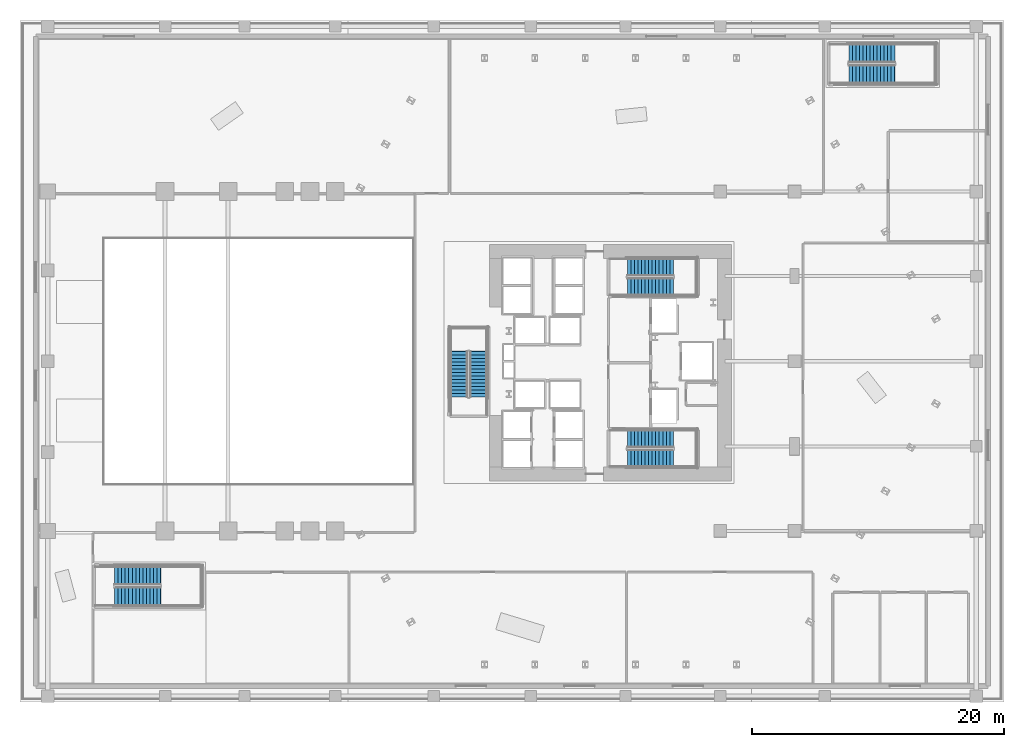
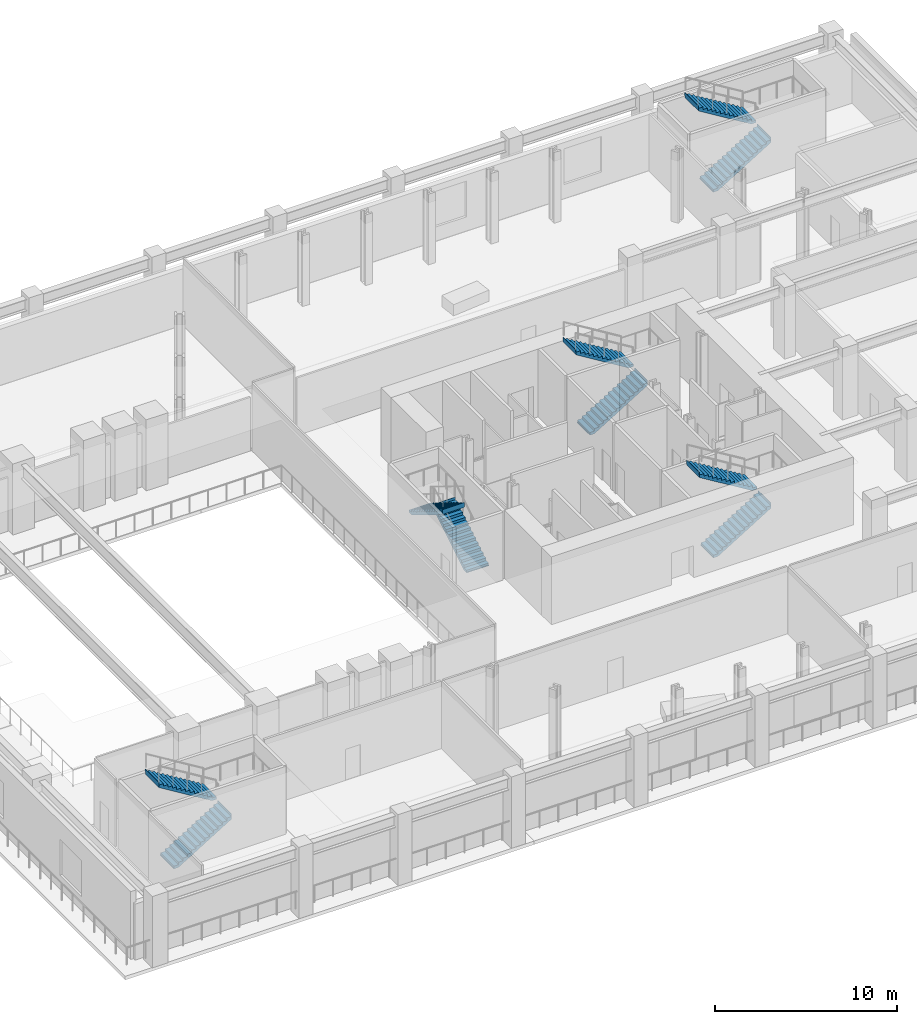
# One storey, part 8 of 19: 10 stair flights, 5 elements without a shape of their own.
"""IFC4 building model written with IfcOpenShell, lengths in metres."""

import ifcopenshell
import ifcopenshell.guid

model = None  # the IFC model being written
_history = None  # IfcOwnerHistory: only IFC2X3 demands one
_inside = {}  # id of a spatial element -> (the spatial element, [elements in it])
_under = {}  # id of a project, library or spatial element -> (it, [spatial elements below it])
_declared = {}  # id of a project -> (the project, [libraries it declares])
_typed = {}  # id of a type object -> (the type object, [elements of that type])
_made_of = {}  # id of a material, layer set ... -> (it, [elements and type objects made of it])


def new_model(schema):
    """Start an empty IFC model of exactly this schema.

    Asked for "IFC4X3", IfcOpenShell would pick the latest addendum, in which some entities
    have other attributes; the version numbers below select the first issue.
    IFC2X3 requires an IfcOwnerHistory on every rooted entity: one is made here for all.
    """
    global model, _history
    if schema == "IFC4X3":
        model = ifcopenshell.file(schema_version=(4, 3, 0, 0))
    else:
        model = ifcopenshell.file(schema=schema)
    _inside.clear()
    _under.clear()
    _declared.clear()
    _typed.clear()
    _made_of.clear()
    _history = None
    if model.schema == "IFC2X3":
        org = make("IfcOrganization", Name="unknown")
        user = make(
            "IfcPersonAndOrganization",
            ThePerson=make("IfcPerson", FamilyName="unknown"),
            TheOrganization=org,
        )
        app = make(
            "IfcApplication",
            ApplicationDeveloper=org,
            Version="unknown",
            ApplicationFullName="unknown",
            ApplicationIdentifier="unknown",
        )
        _history = make(
            "IfcOwnerHistory",
            OwningUser=user,
            OwningApplication=app,
            ChangeAction="ADDED",
            CreationDate=0,
        )
    return model


def make(cls, **values):
    """One entity of the class cls with the attributes given. An attribute that is None is left unset."""
    return model.create_entity(
        cls, **{name: value for name, value in values.items() if value is not None}
    )


def rooted(cls, **values):
    """An entity with a GlobalId (a new one), such as an element, a storey or a relation."""
    return make(cls, GlobalId=ifcopenshell.guid.new(), OwnerHistory=_history, **values)


def si_unit(unit_type, name, prefix=None):
    """IfcSIUnit, for example si_unit("LENGTHUNIT", "METRE", prefix="MILLI")."""
    return make("IfcSIUnit", UnitType=unit_type, Prefix=prefix, Name=name)


def assignment(units):
    """IfcUnitAssignment: the units of a project."""
    return None if units is None else make("IfcUnitAssignment", Units=units)


def point(xyz):
    """IfcCartesianPoint."""
    return None if xyz is None else make("IfcCartesianPoint", Coordinates=xyz)


def direction(xyz):
    """IfcDirection."""
    return None if xyz is None else make("IfcDirection", DirectionRatios=xyz)


def frame(location, z_axis=None, x_axis=None):
    """IfcAxis2Placement3D, a coordinate frame: its origin and axes. An axis left out is left unset."""
    return make(
        "IfcAxis2Placement3D",
        Location=point(location),
        Axis=direction(z_axis),
        RefDirection=direction(x_axis),
    )


def origin():
    """The frame at (0, 0, 0) with its axes left unset."""
    return frame((0.0, 0.0, 0.0))


def place(relative_to, where):
    """IfcLocalPlacement: puts the frame where relative to a parent placement (None: the world)."""
    return make(
        "IfcLocalPlacement", PlacementRelTo=relative_to, RelativePlacement=where
    )


def context(
    kind, dimensions, precision=None, world=None, true_north=None, identifier=None
):
    """IfcGeometricRepresentationContext, for example the 3D "Model" context."""
    return make(
        "IfcGeometricRepresentationContext",
        ContextIdentifier=identifier,
        ContextType=kind,
        CoordinateSpaceDimension=dimensions,
        Precision=precision,
        WorldCoordinateSystem=world,
        TrueNorth=true_north,
    )


def subcontext(parent, identifier, kind, view, scale=None):
    """IfcGeometricRepresentationSubContext, for example "Body" below "Model"."""
    return make(
        "IfcGeometricRepresentationSubContext",
        ContextIdentifier=identifier,
        ContextType=kind,
        ParentContext=parent,
        TargetScale=scale,
        TargetView=view,
    )


def project(units=None, contexts=None):
    """IfcProject with its units and contexts."""
    return rooted(
        "IfcProject",
        Name="project",
        RepresentationContexts=contexts,
        UnitsInContext=assignment(units),
    )


def spatial(cls, under=None, at=None, **own):
    """A site, building, storey or space (cls), placed at a placement, below another one or the project."""
    s = rooted(cls, ObjectPlacement=at, **own)
    if under is not None:
        _under.setdefault(under.id(), (under, []))[1].append(s)
    return s


def polyline(points):
    """IfcPolyline through the points."""
    return make("IfcPolyline", Points=[point(p) for p in points])


def outline(outer, holes=None, kind="AREA"):
    """IfcArbitraryClosedProfileDef: a profile drawn as a closed curve; with holes, ...WithVoids."""
    if holes is None:
        return make("IfcArbitraryClosedProfileDef", ProfileType=kind, OuterCurve=outer)
    return make(
        "IfcArbitraryProfileDefWithVoids",
        ProfileType=kind,
        OuterCurve=outer,
        InnerCurves=holes,
    )


def extrude(swept, where, along, depth):
    """IfcExtrudedAreaSolid: the profile swept, set in the frame where, extruded along a direction by depth."""
    return make(
        "IfcExtrudedAreaSolid",
        SweptArea=swept,
        Position=where,
        ExtrudedDirection=direction(along),
        Depth=depth,
    )


def shape(context_of_items, identifier, shape_type, items):
    """IfcShapeRepresentation: the items that make up one representation, for example the "Body"."""
    return make(
        "IfcShapeRepresentation",
        ContextOfItems=context_of_items,
        RepresentationIdentifier=identifier,
        RepresentationType=shape_type,
        Items=items,
    )


def material(Name=None, Category=None):
    """IfcMaterial."""
    return make("IfcMaterial", Name=Name, Category=Category)


def made_of(thing, what):
    """Note that an element or type object is made of a material, layer set ...; save() writes the relation."""
    if what is not None:
        _made_of.setdefault(what.id(), (what, []))[1].append(thing)
    return thing


def type_object(cls, material=None, **own):
    """A type object (cls), such as IfcWallType, which elements share."""
    return made_of(rooted(cls, **own), material)


def element(
    cls,
    number,
    at=None,
    inside=None,
    cuts=None,
    type_object=None,
    material=None,
    context=None,
    identifier="Body",
    shape_type=None,
    held_by="IfcProductDefinitionShape",
    body=None,
    shapes=None,
    **own,
):
    """One element of the class cls, such as IfcWall. Its Tag is "e" and its number.

    at: its placement. inside: the storey or other place that contains it. cuts: it is an
    opening in that element (IfcRelVoidsElement). A single representation is given by context,
    identifier, shape_type and body (its items); several are given by shapes. held_by: the class
    of the entity that holds the representations. save() writes the other relations.
    """
    e = rooted(cls, Tag="e%d" % number, ObjectPlacement=at, **own)
    if body is not None:
        shapes = [shape(context, identifier, shape_type, body)]
    if shapes is not None:
        e.Representation = make(held_by, Representations=shapes)
    if inside is not None:
        _inside.setdefault(inside.id(), (inside, []))[1].append(e)
    if cuts is not None:
        rooted(
            "IfcRelVoidsElement", RelatingBuildingElement=cuts, RelatedOpeningElement=e
        )
    if type_object is not None:
        _typed.setdefault(type_object.id(), (type_object, []))[1].append(e)
    return made_of(e, material)


def aggregate(whole, parts):
    """IfcRelAggregates: a whole, such as a stair, and the parts it consists of."""
    return rooted("IfcRelAggregates", RelatingObject=whole, RelatedObjects=parts)


def save(model, path):
    """Write the relations noted so far, then the file.

    IfcRelAggregates (storeys below a building ...), IfcRelContainedInSpatialStructure (elements
    in a storey), IfcRelDefinesByType, IfcRelAssociatesMaterial and IfcRelDeclares: one each for
    every whole, place, type object, material and project.
    """
    for whole, parts in _under.values():
        aggregate(whole, parts)
    for where, things in _inside.values():
        rooted(
            "IfcRelContainedInSpatialStructure",
            RelatedElements=things,
            RelatingStructure=where,
        )
    for kind, things in _typed.values():
        rooted("IfcRelDefinesByType", RelatedObjects=things, RelatingType=kind)
    for what, things in _made_of.values():
        rooted("IfcRelAssociatesMaterial", RelatedObjects=things, RelatingMaterial=what)
    for by, libraries in _declared.values():
        rooted("IfcRelDeclares", RelatingContext=by, RelatedDefinitions=libraries)
    model.write(path)


model = new_model("IFC4")

# Units and contexts
model_context = context("Model", 3, precision=1e-05, world=origin(), true_north=direction((0.0, 1.0)))
body_context = subcontext(model_context, "Body", "Model", "MODEL_VIEW")
ifc_project = project(units=[si_unit("LENGTHUNIT", "METRE"), si_unit("AREAUNIT", "SQUARE_METRE"), si_unit("VOLUMEUNIT", "CUBIC_METRE"), si_unit("PLANEANGLEUNIT", "RADIAN"), si_unit("MASSUNIT", "GRAM", prefix="KILO")], contexts=[model_context])

# Site, building, storey
site_placement = place(None, origin())
site = spatial("IfcSite", under=ifc_project, at=site_placement, CompositionType="ELEMENT")
building_placement = place(site_placement, origin())
building = spatial("IfcBuilding", under=site, at=building_placement, Name="Valkerne Bourse Tower", CompositionType="ELEMENT")
storey_placement = place(building_placement, frame((0.0, 0.0, 5.39990234375)))
storey = spatial("IfcBuildingStorey", under=building, at=storey_placement, Name="L01", CompositionType="ELEMENT", Elevation=5.39990234375)

# Stair, stair flights
ifc_material = material(Name="Concrete C40/50", Category="concrete")
stair_type_1 = type_object("IfcStairType", Name="ST-CORE-1400", PredefinedType="HALF_TURN_STAIR", material=ifc_material)
stair_1_placement = place(storey_placement, origin())
stair_1 = element("IfcStair", 1, at=stair_1_placement, inside=storey, type_object=stair_type_1, Name="L01 ST-1", PredefinedType="HALF_TURN_STAIR")
stair_flight_type_1 = type_object("IfcStairFlightType", Name="STF-CORE-1400", PredefinedType="STRAIGHT", material=ifc_material)
stair_flight_1_placement = place(storey_placement, frame((48.14990234375, 19.300048828125, 0.0), z_axis=(0.0, 0.0, 1.0), x_axis=(1.0, 0.0, 0.0)))
stair_flight_1 = element("IfcStairFlight", 2, at=stair_flight_1_placement, type_object=stair_flight_type_1, Name="ST-1 flight 1", NumberOfRisers=14, NumberOfTreads=13, PredefinedType="STRAIGHT", RiserHeight=0.171428571, TreadLength=0.28, context=body_context, shape_type="SweptSolid", body=[
    extrude(outline(polyline([(-0.02001953125, 0.0), (-0.02001953125, 0.044921875), (0.0, 0.044921875), (0.0, 0.17138671875), (0.280029296875, 0.17138671875), (0.280029296875, 0.3427734375), (0.56005859375, 0.3427734375), (0.56005859375, 0.514404296875), (0.840087890625, 0.514404296875), (0.840087890625, 0.685791015625), (1.1201171875, 0.685791015625), (1.1201171875, 0.857177734375), (1.39990234375, 0.857177734375), (1.39990234375, 1.028564453125), (1.679931640625, 1.028564453125), (1.679931640625, 1.199951171875), (1.9599609375, 1.199951171875), (1.9599609375, 1.371337890625), (2.239990234375, 1.371337890625), (2.239990234375, 1.54296875), (2.52001953125, 1.54296875), (2.52001953125, 1.71435546875), (2.800048828125, 1.71435546875), (2.800048828125, 1.8857421875), (3.080078125, 1.8857421875), (3.080078125, 2.05712890625), (3.360107421875, 2.05712890625), (3.360107421875, 2.228515625), (3.639892578125, 2.228515625), (3.639892578125, 2.39990234375), (3.659912109375, 2.39990234375), (3.659912109375, 2.280029296875), (3.639892578125, 2.052734375), (0.287109375, 0.0), (-0.02001953125, 0.0)])), frame((0.0, 0.699951171875, 0.0), z_axis=(0.0, -1.0, 0.0), x_axis=(1.0, 0.0, 0.0)), (0.0, 0.0, 1.0), 1.39990234375),
])
stair_flight_2_placement = place(storey_placement, frame((51.7900390625, 20.85009765625, 2.400146484375), z_axis=(0.0, 0.0, 1.0), x_axis=(-1.0, 0.0, 0.0)))
stair_flight_2 = element("IfcStairFlight", 3, at=stair_flight_2_placement, type_object=stair_flight_type_1, Name="ST-1 flight 2", NumberOfRisers=14, NumberOfTreads=13, PredefinedType="STRAIGHT", RiserHeight=0.171428571, TreadLength=0.28, context=body_context, shape_type="SweptSolid", body=[
    extrude(outline(polyline([(-0.02001953125, 0.0), (-0.02001953125, 0.044921875), (0.0, 0.044921875), (0.0, 0.17138671875), (0.280029296875, 0.17138671875), (0.280029296875, 0.3427734375), (0.56005859375, 0.3427734375), (0.56005859375, 0.514404296875), (0.840087890625, 0.514404296875), (0.840087890625, 0.685791015625), (1.1201171875, 0.685791015625), (1.1201171875, 0.857177734375), (1.39990234375, 0.857177734375), (1.39990234375, 1.028564453125), (1.679931640625, 1.028564453125), (1.679931640625, 1.199951171875), (1.9599609375, 1.199951171875), (1.9599609375, 1.371337890625), (2.239990234375, 1.371337890625), (2.239990234375, 1.54296875), (2.52001953125, 1.54296875), (2.52001953125, 1.71435546875), (2.800048828125, 1.71435546875), (2.800048828125, 1.8857421875), (3.080078125, 1.8857421875), (3.080078125, 2.05712890625), (3.360107421875, 2.05712890625), (3.360107421875, 2.228515625), (3.639892578125, 2.228515625), (3.639892578125, 2.39990234375), (3.659912109375, 2.39990234375), (3.659912109375, 2.280029296875), (3.639892578125, 2.052734375), (0.287109375, 0.0), (-0.02001953125, 0.0)])), frame((0.0, 0.699951171875, 0.0), z_axis=(0.0, -1.0, 0.0), x_axis=(1.0, 0.0, 0.0)), (0.0, 0.0, 1.0), 1.39990234375),
])
aggregate(stair_1, [stair_flight_1, stair_flight_2])

stair_2_placement = place(storey_placement, origin())
stair_2 = element("IfcStair", 4, at=stair_2_placement, inside=storey, type_object=stair_type_1, Name="L01 ST-2", PredefinedType="HALF_TURN_STAIR")
stair_flight_3_placement = place(storey_placement, frame((48.14990234375, 32.89990234375, 0.0), z_axis=(0.0, 0.0, 1.0), x_axis=(1.0, 0.0, 0.0)))
stair_flight_3 = element("IfcStairFlight", 5, at=stair_flight_3_placement, type_object=stair_flight_type_1, Name="ST-2 flight 1", NumberOfRisers=14, NumberOfTreads=13, PredefinedType="STRAIGHT", RiserHeight=0.171428571, TreadLength=0.28, context=body_context, shape_type="SweptSolid", body=[
    extrude(outline(polyline([(-0.02001953125, 0.0), (-0.02001953125, 0.044921875), (0.0, 0.044921875), (0.0, 0.17138671875), (0.280029296875, 0.17138671875), (0.280029296875, 0.3427734375), (0.56005859375, 0.3427734375), (0.56005859375, 0.514404296875), (0.840087890625, 0.514404296875), (0.840087890625, 0.685791015625), (1.1201171875, 0.685791015625), (1.1201171875, 0.857177734375), (1.39990234375, 0.857177734375), (1.39990234375, 1.028564453125), (1.679931640625, 1.028564453125), (1.679931640625, 1.199951171875), (1.9599609375, 1.199951171875), (1.9599609375, 1.371337890625), (2.239990234375, 1.371337890625), (2.239990234375, 1.54296875), (2.52001953125, 1.54296875), (2.52001953125, 1.71435546875), (2.800048828125, 1.71435546875), (2.800048828125, 1.8857421875), (3.080078125, 1.8857421875), (3.080078125, 2.05712890625), (3.360107421875, 2.05712890625), (3.360107421875, 2.228515625), (3.639892578125, 2.228515625), (3.639892578125, 2.39990234375), (3.659912109375, 2.39990234375), (3.659912109375, 2.280029296875), (3.639892578125, 2.052734375), (0.287109375, 0.0), (-0.02001953125, 0.0)])), frame((0.0, 0.699951171875, 0.0), z_axis=(0.0, -1.0, 0.0), x_axis=(1.0, 0.0, 0.0)), (0.0, 0.0, 1.0), 1.39990234375),
])
stair_flight_4_placement = place(storey_placement, frame((51.7900390625, 34.449951171875, 2.400146484375), z_axis=(0.0, 0.0, 1.0), x_axis=(-1.0, 0.0, 0.0)))
stair_flight_4 = element("IfcStairFlight", 6, at=stair_flight_4_placement, type_object=stair_flight_type_1, Name="ST-2 flight 2", NumberOfRisers=14, NumberOfTreads=13, PredefinedType="STRAIGHT", RiserHeight=0.171428571, TreadLength=0.28, context=body_context, shape_type="SweptSolid", body=[
    extrude(outline(polyline([(-0.02001953125, 0.0), (-0.02001953125, 0.044921875), (0.0, 0.044921875), (0.0, 0.17138671875), (0.280029296875, 0.17138671875), (0.280029296875, 0.3427734375), (0.56005859375, 0.3427734375), (0.56005859375, 0.514404296875), (0.840087890625, 0.514404296875), (0.840087890625, 0.685791015625), (1.1201171875, 0.685791015625), (1.1201171875, 0.857177734375), (1.39990234375, 0.857177734375), (1.39990234375, 1.028564453125), (1.679931640625, 1.028564453125), (1.679931640625, 1.199951171875), (1.9599609375, 1.199951171875), (1.9599609375, 1.371337890625), (2.239990234375, 1.371337890625), (2.239990234375, 1.54296875), (2.52001953125, 1.54296875), (2.52001953125, 1.71435546875), (2.800048828125, 1.71435546875), (2.800048828125, 1.8857421875), (3.080078125, 1.8857421875), (3.080078125, 2.05712890625), (3.360107421875, 2.05712890625), (3.360107421875, 2.228515625), (3.639892578125, 2.228515625), (3.639892578125, 2.39990234375), (3.659912109375, 2.39990234375), (3.659912109375, 2.280029296875), (3.639892578125, 2.052734375), (0.287109375, 0.0), (-0.02001953125, 0.0)])), frame((0.0, 0.699951171875, 0.0), z_axis=(0.0, -1.0, 0.0), x_axis=(1.0, 0.0, 0.0)), (0.0, 0.0, 1.0), 1.39990234375),
])
aggregate(stair_2, [stair_flight_3, stair_flight_4])

stair_3_placement = place(storey_placement, origin())
stair_3 = element("IfcStair", 7, at=stair_3_placement, inside=storey, type_object=stair_type_1, Name="L01 ST-3", PredefinedType="HALF_TURN_STAIR")
stair_flight_5_placement = place(storey_placement, frame((36.35009765625, 24.14990234375, 0.0), z_axis=(0.0, 0.0, 1.0), x_axis=(0.0, 1.0, 0.0)))
stair_flight_5 = element("IfcStairFlight", 8, at=stair_flight_5_placement, type_object=stair_flight_type_1, Name="ST-3 flight 1", NumberOfRisers=14, NumberOfTreads=13, PredefinedType="STRAIGHT", RiserHeight=0.171428571, TreadLength=0.28, context=body_context, shape_type="SweptSolid", body=[
    extrude(outline(polyline([(-0.02001953125, 0.0), (-0.02001953125, 0.044921875), (0.0, 0.044921875), (0.0, 0.17138671875), (0.280029296875, 0.17138671875), (0.280029296875, 0.3427734375), (0.56005859375, 0.3427734375), (0.56005859375, 0.514404296875), (0.840087890625, 0.514404296875), (0.840087890625, 0.685791015625), (1.1201171875, 0.685791015625), (1.1201171875, 0.857177734375), (1.39990234375, 0.857177734375), (1.39990234375, 1.028564453125), (1.679931640625, 1.028564453125), (1.679931640625, 1.199951171875), (1.9599609375, 1.199951171875), (1.9599609375, 1.371337890625), (2.239990234375, 1.371337890625), (2.239990234375, 1.54296875), (2.52001953125, 1.54296875), (2.52001953125, 1.71435546875), (2.800048828125, 1.71435546875), (2.800048828125, 1.8857421875), (3.080078125, 1.8857421875), (3.080078125, 2.05712890625), (3.360107421875, 2.05712890625), (3.360107421875, 2.228515625), (3.639892578125, 2.228515625), (3.639892578125, 2.39990234375), (3.659912109375, 2.39990234375), (3.659912109375, 2.280029296875), (3.639892578125, 2.052734375), (0.287109375, 0.0), (-0.02001953125, 0.0)])), frame((0.0, 0.699951171875, 0.0), z_axis=(0.0, -1.0, 0.0), x_axis=(1.0, 0.0, 0.0)), (0.0, 0.0, 1.0), 1.39990234375),
])
stair_flight_6_placement = place(storey_placement, frame((34.800048828125, 27.7900390625, 2.400146484375), z_axis=(0.0, 0.0, 1.0), x_axis=(0.0, -1.0, 0.0)))
stair_flight_6 = element("IfcStairFlight", 9, at=stair_flight_6_placement, type_object=stair_flight_type_1, Name="ST-3 flight 2", NumberOfRisers=14, NumberOfTreads=13, PredefinedType="STRAIGHT", RiserHeight=0.171428571, TreadLength=0.28, context=body_context, shape_type="SweptSolid", body=[
    extrude(outline(polyline([(-0.02001953125, 0.0), (-0.02001953125, 0.044921875), (0.0, 0.044921875), (0.0, 0.17138671875), (0.280029296875, 0.17138671875), (0.280029296875, 0.3427734375), (0.56005859375, 0.3427734375), (0.56005859375, 0.514404296875), (0.840087890625, 0.514404296875), (0.840087890625, 0.685791015625), (1.1201171875, 0.685791015625), (1.1201171875, 0.857177734375), (1.39990234375, 0.857177734375), (1.39990234375, 1.028564453125), (1.679931640625, 1.028564453125), (1.679931640625, 1.199951171875), (1.9599609375, 1.199951171875), (1.9599609375, 1.371337890625), (2.239990234375, 1.371337890625), (2.239990234375, 1.54296875), (2.52001953125, 1.54296875), (2.52001953125, 1.71435546875), (2.800048828125, 1.71435546875), (2.800048828125, 1.8857421875), (3.080078125, 1.8857421875), (3.080078125, 2.05712890625), (3.360107421875, 2.05712890625), (3.360107421875, 2.228515625), (3.639892578125, 2.228515625), (3.639892578125, 2.39990234375), (3.659912109375, 2.39990234375), (3.659912109375, 2.280029296875), (3.639892578125, 2.052734375), (0.287109375, 0.0), (-0.02001953125, 0.0)])), frame((0.0, 0.699951171875, 0.0), z_axis=(0.0, -1.0, 0.0), x_axis=(1.0, 0.0, 0.0)), (0.0, 0.0, 1.0), 1.39990234375),
])
aggregate(stair_3, [stair_flight_5, stair_flight_6])

stair_type_2 = type_object("IfcStairType", Name="ST-POD-1500", PredefinedType="HALF_TURN_STAIR", material=ifc_material)
stair_4_placement = place(storey_placement, origin())
stair_4 = element("IfcStair", 10, at=stair_4_placement, inside=storey, type_object=stair_type_2, Name="L01 ST-P1", PredefinedType="HALF_TURN_STAIR")
stair_flight_type_2 = type_object("IfcStairFlightType", Name="STF-POD-1500", PredefinedType="STRAIGHT", material=ifc_material)
stair_flight_7_placement = place(storey_placement, frame((7.5, 8.35009765625, 0.0), z_axis=(0.0, 0.0, 1.0), x_axis=(1.0, 0.0, 0.0)))
stair_flight_7 = element("IfcStairFlight", 11, at=stair_flight_7_placement, type_object=stair_flight_type_2, Name="ST-P1 flight 1", NumberOfRisers=14, NumberOfTreads=13, PredefinedType="STRAIGHT", RiserHeight=0.171428571, TreadLength=0.28, context=body_context, shape_type="SweptSolid", body=[
    extrude(outline(polyline([(-0.02001953125, 0.0), (-0.02001953125, 0.044921875), (0.0, 0.044921875), (0.0, 0.17138671875), (0.280029296875, 0.17138671875), (0.280029296875, 0.3427734375), (0.56005859375, 0.3427734375), (0.56005859375, 0.514404296875), (0.840087890625, 0.514404296875), (0.840087890625, 0.685791015625), (1.1201171875, 0.685791015625), (1.1201171875, 0.857177734375), (1.39990234375, 0.857177734375), (1.39990234375, 1.028564453125), (1.679931640625, 1.028564453125), (1.679931640625, 1.199951171875), (1.9599609375, 1.199951171875), (1.9599609375, 1.371337890625), (2.239990234375, 1.371337890625), (2.239990234375, 1.54296875), (2.52001953125, 1.54296875), (2.52001953125, 1.71435546875), (2.800048828125, 1.71435546875), (2.800048828125, 1.8857421875), (3.080078125, 1.8857421875), (3.080078125, 2.05712890625), (3.360107421875, 2.05712890625), (3.360107421875, 2.228515625), (3.639892578125, 2.228515625), (3.639892578125, 2.39990234375), (3.659912109375, 2.39990234375), (3.659912109375, 2.280029296875), (3.639892578125, 2.052734375), (0.287109375, 0.0), (-0.02001953125, 0.0)])), frame((0.0, 0.75, 0.0), z_axis=(0.0, -1.0, 0.0), x_axis=(1.0, 0.0, 0.0)), (0.0, 0.0, 1.0), 1.5),
])
stair_flight_8_placement = place(storey_placement, frame((11.139892578125, 10.0, 2.400146484375), z_axis=(0.0, 0.0, 1.0), x_axis=(-1.0, 0.0, 0.0)))
stair_flight_8 = element("IfcStairFlight", 12, at=stair_flight_8_placement, type_object=stair_flight_type_2, Name="ST-P1 flight 2", NumberOfRisers=14, NumberOfTreads=13, PredefinedType="STRAIGHT", RiserHeight=0.171428571, TreadLength=0.28, context=body_context, shape_type="SweptSolid", body=[
    extrude(outline(polyline([(-0.02001953125, 0.0), (-0.02001953125, 0.044921875), (0.0, 0.044921875), (0.0, 0.17138671875), (0.280029296875, 0.17138671875), (0.280029296875, 0.3427734375), (0.56005859375, 0.3427734375), (0.56005859375, 0.514404296875), (0.840087890625, 0.514404296875), (0.840087890625, 0.685791015625), (1.1201171875, 0.685791015625), (1.1201171875, 0.857177734375), (1.39990234375, 0.857177734375), (1.39990234375, 1.028564453125), (1.679931640625, 1.028564453125), (1.679931640625, 1.199951171875), (1.9599609375, 1.199951171875), (1.9599609375, 1.371337890625), (2.239990234375, 1.371337890625), (2.239990234375, 1.54296875), (2.52001953125, 1.54296875), (2.52001953125, 1.71435546875), (2.800048828125, 1.71435546875), (2.800048828125, 1.8857421875), (3.080078125, 1.8857421875), (3.080078125, 2.05712890625), (3.360107421875, 2.05712890625), (3.360107421875, 2.228515625), (3.639892578125, 2.228515625), (3.639892578125, 2.39990234375), (3.659912109375, 2.39990234375), (3.659912109375, 2.280029296875), (3.639892578125, 2.052734375), (0.287109375, 0.0), (-0.02001953125, 0.0)])), frame((0.0, 0.75, 0.0), z_axis=(0.0, -1.0, 0.0), x_axis=(1.0, 0.0, 0.0)), (0.0, 0.0, 1.0), 1.5),
])
aggregate(stair_4, [stair_flight_7, stair_flight_8])

stair_5_placement = place(storey_placement, origin())
stair_5 = element("IfcStair", 13, at=stair_5_placement, inside=storey, type_object=stair_type_2, Name="L01 ST-P2", PredefinedType="HALF_TURN_STAIR")
stair_flight_9_placement = place(storey_placement, frame((65.699951171875, 49.75, 0.0), z_axis=(0.0, 0.0, 1.0), x_axis=(1.0, 0.0, 0.0)))
stair_flight_9 = element("IfcStairFlight", 14, at=stair_flight_9_placement, type_object=stair_flight_type_2, Name="ST-P2 flight 1", NumberOfRisers=14, NumberOfTreads=13, PredefinedType="STRAIGHT", RiserHeight=0.171428571, TreadLength=0.28, context=body_context, shape_type="SweptSolid", body=[
    extrude(outline(polyline([(-0.02001953125, 0.0), (-0.02001953125, 0.044921875), (0.0, 0.044921875), (0.0, 0.17138671875), (0.280029296875, 0.17138671875), (0.280029296875, 0.3427734375), (0.56005859375, 0.3427734375), (0.56005859375, 0.514404296875), (0.840087890625, 0.514404296875), (0.840087890625, 0.685791015625), (1.1201171875, 0.685791015625), (1.1201171875, 0.857177734375), (1.39990234375, 0.857177734375), (1.39990234375, 1.028564453125), (1.679931640625, 1.028564453125), (1.679931640625, 1.199951171875), (1.9599609375, 1.199951171875), (1.9599609375, 1.371337890625), (2.239990234375, 1.371337890625), (2.239990234375, 1.54296875), (2.52001953125, 1.54296875), (2.52001953125, 1.71435546875), (2.800048828125, 1.71435546875), (2.800048828125, 1.8857421875), (3.080078125, 1.8857421875), (3.080078125, 2.05712890625), (3.360107421875, 2.05712890625), (3.360107421875, 2.228515625), (3.639892578125, 2.228515625), (3.639892578125, 2.39990234375), (3.659912109375, 2.39990234375), (3.659912109375, 2.280029296875), (3.639892578125, 2.052734375), (0.287109375, 0.0), (-0.02001953125, 0.0)])), frame((0.0, 0.75, 0.0), z_axis=(0.0, -1.0, 0.0), x_axis=(1.0, 0.0, 0.0)), (0.0, 0.0, 1.0), 1.5),
])
stair_flight_10_placement = place(storey_placement, frame((69.340087890625, 51.39990234375, 2.400146484375), z_axis=(0.0, 0.0, 1.0), x_axis=(-1.0, 0.0, 0.0)))
stair_flight_10 = element("IfcStairFlight", 15, at=stair_flight_10_placement, type_object=stair_flight_type_2, Name="ST-P2 flight 2", NumberOfRisers=14, NumberOfTreads=13, PredefinedType="STRAIGHT", RiserHeight=0.171428571, TreadLength=0.28, context=body_context, shape_type="SweptSolid", body=[
    extrude(outline(polyline([(-0.02001953125, 0.0), (-0.02001953125, 0.044921875), (0.0, 0.044921875), (0.0, 0.17138671875), (0.280029296875, 0.17138671875), (0.280029296875, 0.3427734375), (0.56005859375, 0.3427734375), (0.56005859375, 0.514404296875), (0.840087890625, 0.514404296875), (0.840087890625, 0.685791015625), (1.1201171875, 0.685791015625), (1.1201171875, 0.857177734375), (1.39990234375, 0.857177734375), (1.39990234375, 1.028564453125), (1.679931640625, 1.028564453125), (1.679931640625, 1.199951171875), (1.9599609375, 1.199951171875), (1.9599609375, 1.371337890625), (2.239990234375, 1.371337890625), (2.239990234375, 1.54296875), (2.52001953125, 1.54296875), (2.52001953125, 1.71435546875), (2.800048828125, 1.71435546875), (2.800048828125, 1.8857421875), (3.080078125, 1.8857421875), (3.080078125, 2.05712890625), (3.360107421875, 2.05712890625), (3.360107421875, 2.228515625), (3.639892578125, 2.228515625), (3.639892578125, 2.39990234375), (3.659912109375, 2.39990234375), (3.659912109375, 2.280029296875), (3.639892578125, 2.052734375), (0.287109375, 0.0), (-0.02001953125, 0.0)])), frame((0.0, 0.75, 0.0), z_axis=(0.0, -1.0, 0.0), x_axis=(1.0, 0.0, 0.0)), (0.0, 0.0, 1.0), 1.5),
])
aggregate(stair_5, [stair_flight_9, stair_flight_10])

save(model, "model.ifc")
